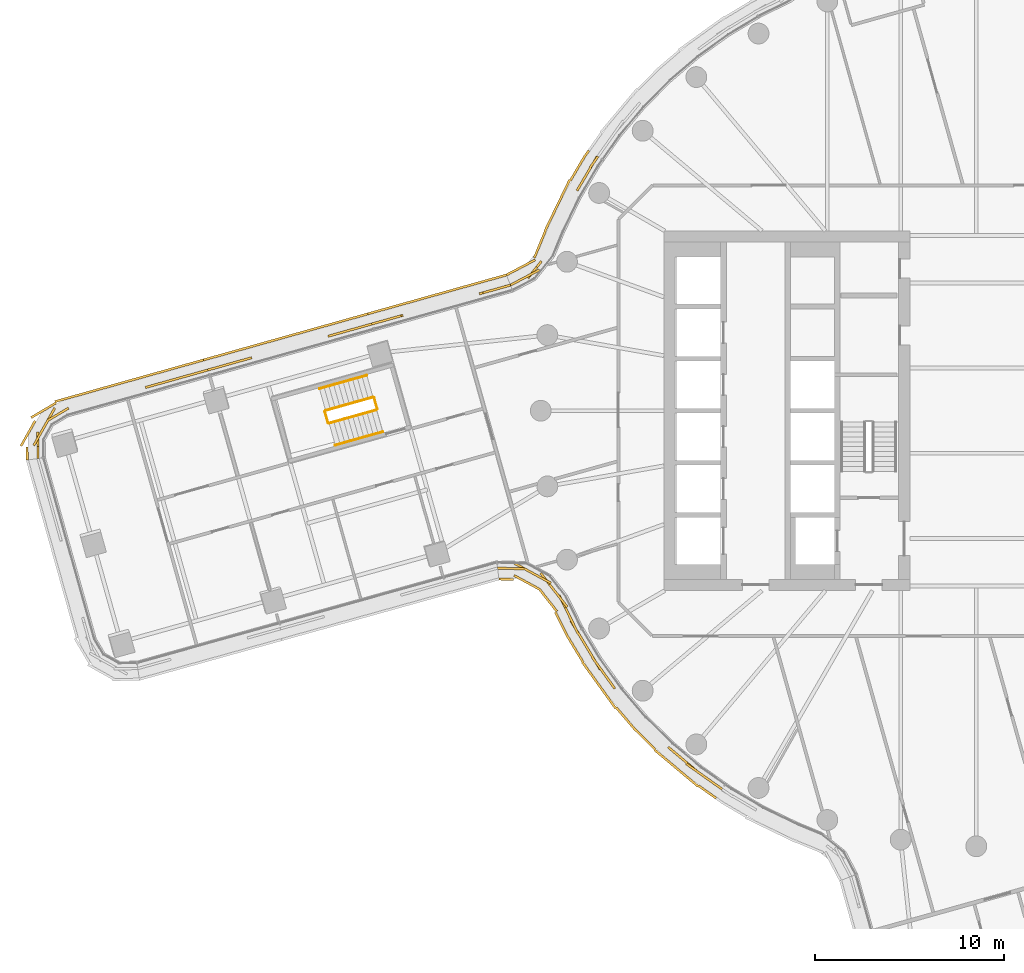
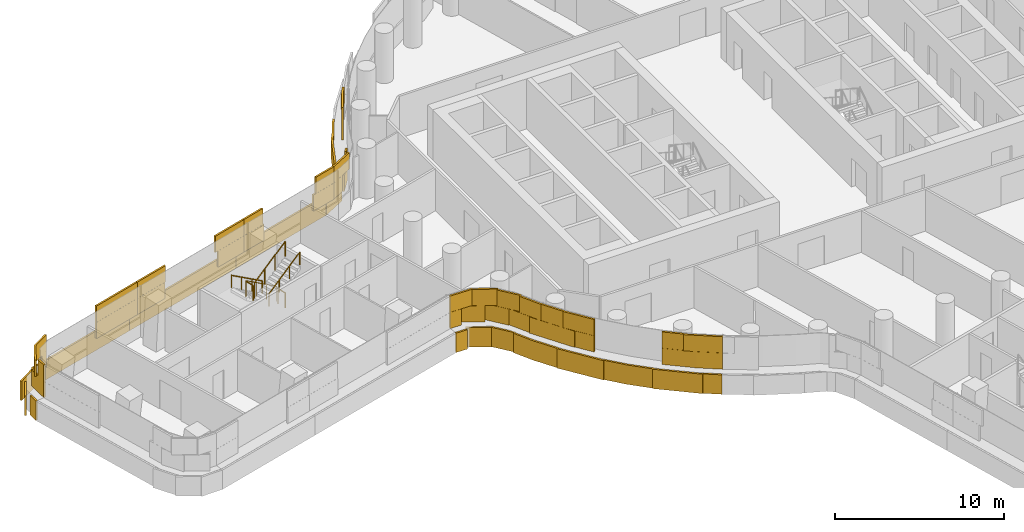
# One storey, part 26 of 30: 6 railings, 5 coverings.
"""IFC4 building model written with IfcOpenShell, lengths in metres."""

from ifc_helpers import new_model, si_unit, direction, frame, origin, origin_2d, place, context, subcontext, project, spatial, rectangle, circle, extrude, material, layer, layer_set, type_object, element, save


model = new_model("IFC4")

# Units and contexts
model_context = context("Model", 3, precision=1e-05, world=origin(), true_north=direction((0.0, 1.0)))
body_context = subcontext(model_context, "Body", "Model", "MODEL_VIEW")
ifc_project = project(units=[si_unit("LENGTHUNIT", "METRE"), si_unit("AREAUNIT", "SQUARE_METRE"), si_unit("VOLUMEUNIT", "CUBIC_METRE"), si_unit("PLANEANGLEUNIT", "RADIAN"), si_unit("MASSUNIT", "GRAM", prefix="KILO")], contexts=[model_context])

# Site, building, storey
site_placement = place(None, origin())
site = spatial("IfcSite", under=ifc_project, at=site_placement, CompositionType="ELEMENT")
building_placement = place(site_placement, origin())
building = spatial("IfcBuilding", under=site, at=building_placement, Name="Tamarind Cross Interchange Tower", CompositionType="ELEMENT")
storey_placement = place(building_placement, frame((0.0, 0.0, 91.0)))
storey = spatial("IfcBuildingStorey", under=building, at=storey_placement, Name="L21", CompositionType="ELEMENT", Elevation=91.0)

# Railings
ifc_material_1 = material(Name="Stair guard")
railing_type_1 = type_object("IfcRailingType", Name="Stair guard", PredefinedType="GUARDRAIL", material=ifc_material_1)
railing_1_placement = place(storey_placement, frame((-31.859130859375, 0.713134765625, 0.17041015625)))
element("IfcRailing", 1, at=railing_1_placement, inside=storey, type_object=railing_type_1, Name="L21 ST5 stair guard 1", PredefinedType="GUARDRAIL", context=body_context, shape_type="SweptSolid", body=[
    extrude(circle(Radius=0.02392578125, at=origin_2d()), frame((0.0, 0.0, 1.076171875), z_axis=(-0.805222310926, -0.22584546189, 0.54827990783), x_axis=(0.270054815174, -0.962844949512, 0.0)), (0.0, 0.0, 1.0), 3.10888671875),
    extrude(circle(Radius=0.02099609375, at=origin_2d()), origin(), (0.0, 0.0, 1.0), 1.052001953125),
    extrude(circle(Radius=0.02099609375, at=origin_2d()), frame((-0.83447265625, -0.234130859375, 0.568115234375)), (0.0, 0.0, 1.0), 1.052001953125),
    extrude(circle(Radius=0.02099609375, at=origin_2d()), frame((-1.6689453125, -0.468017578125, 1.136474609375)), (0.0, 0.0, 1.0), 1.052001953125),
    extrude(circle(Radius=0.02099609375, at=origin_2d()), frame((-2.50341796875, -0.7021484375, 1.70458984375)), (0.0, 0.0, 1.0), 1.052001953125),
])
railing_2_placement = place(storey_placement, frame((-34.397216796875, -0.05078125, 1.875)))
element("IfcRailing", 2, at=railing_2_placement, inside=storey, type_object=railing_type_1, Name="L21 ST5 stair guard 2", PredefinedType="GUARDRAIL", context=body_context, shape_type="SweptSolid", body=[
    extrude(circle(Radius=0.02392578125, at=origin_2d()), frame((0.0, 0.0, 1.076171875), z_axis=(0.270203447807, -0.962803249264, 0.0), x_axis=(0.962803249264, 0.270203447807, 0.0)), (0.0, 0.0, 1.0), 0.599853515625),
    extrude(circle(Radius=0.02099609375, at=origin_2d()), origin(), (0.0, 0.0, 1.0), 1.052001953125),
    extrude(circle(Radius=0.02099609375, at=origin_2d()), frame((0.162109375, -0.57763671875, 0.0)), (0.0, 0.0, 1.0), 1.052001953125),
])
railing_3_placement = place(storey_placement, frame((-34.17333984375, -0.6630859375, 2.04541015625)))
element("IfcRailing", 3, at=railing_3_placement, inside=storey, type_object=railing_type_1, Name="L21 ST5 stair guard 3", PredefinedType="GUARDRAIL", context=body_context, shape_type="SweptSolid", body=[
    extrude(circle(Radius=0.02392578125, at=origin_2d()), frame((0.0, 0.0, 1.076171875), z_axis=(0.805180412531, 0.225934267712, 0.548304851291), x_axis=(-0.270166287835, 0.962813677155, 0.0)), (0.0, 0.0, 1.0), 3.10888671875),
    extrude(circle(Radius=0.02099609375, at=origin_2d()), origin(), (0.0, 0.0, 1.0), 1.052001953125),
    extrude(circle(Radius=0.02099609375, at=origin_2d()), frame((0.83447265625, 0.234130859375, 0.568115234375)), (0.0, 0.0, 1.0), 1.052001953125),
    extrude(circle(Radius=0.02099609375, at=origin_2d()), frame((1.668701171875, 0.46826171875, 1.136474609375)), (0.0, 0.0, 1.0), 1.052001953125),
    extrude(circle(Radius=0.02099609375, at=origin_2d()), frame((2.503173828125, 0.702392578125, 1.70458984375)), (0.0, 0.0, 1.0), 1.052001953125),
])
railing_4_placement = place(storey_placement, frame((-31.797607421875, 0.6787109375, 0.0)))
element("IfcRailing", 4, at=railing_4_placement, inside=storey, type_object=railing_type_1, Name="L21 ST5 stair guard 4", PredefinedType="GUARDRAIL", context=body_context, shape_type="SweptSolid", body=[
    extrude(circle(Radius=0.02392578125, at=origin_2d()), frame((0.0, 0.0, 1.076171875), z_axis=(0.27009762292, -0.962832941944, 0.0), x_axis=(0.962832941944, 0.27009762292, 0.0)), (0.0, 0.0, 1.0), 0.60009765625),
    extrude(circle(Radius=0.02099609375, at=origin_2d()), origin(), (0.0, 0.0, 1.0), 1.052001953125),
    extrude(circle(Radius=0.02099609375, at=origin_2d()), frame((0.162109375, -0.577880859375, 0.0)), (0.0, 0.0, 1.0), 1.052001953125),
])
ifc_material_2 = material(Name="Stair handrail")
railing_type_2 = type_object("IfcRailingType", Name="Stair handrail", PredefinedType="HANDRAIL", material=ifc_material_2)
railing_5_placement = place(storey_placement, frame((-32.183349609375, 1.86865234375, 0.17041015625)))
element("IfcRailing", 5, at=railing_5_placement, inside=storey, type_object=railing_type_2, Name="L21 ST5 stair handrail 1", PredefinedType="HANDRAIL", context=body_context, shape_type="SweptSolid", body=[
    extrude(circle(Radius=0.02392578125, at=origin_2d()), frame((0.0, 0.0, 0.8759765625), z_axis=(-0.805208028118, -0.225919982143, 0.548270182594), x_axis=(0.270141863262, -0.962820530376, 0.0)), (0.0, 0.0, 1.0), 3.109130859375),
    extrude(circle(Radius=0.02099609375, at=origin_2d()), origin(), (0.0, 0.0, 1.0), 0.851806640625),
    extrude(circle(Radius=0.02099609375, at=origin_2d()), frame((-0.83447265625, -0.234130859375, 0.568115234375)), (0.0, 0.0, 1.0), 0.851806640625),
    extrude(circle(Radius=0.02099609375, at=origin_2d()), frame((-1.6689453125, -0.46826171875, 1.136474609375)), (0.0, 0.0, 1.0), 0.851806640625),
    extrude(circle(Radius=0.02099609375, at=origin_2d()), frame((-2.50341796875, -0.702392578125, 1.70458984375)), (0.0, 0.0, 1.0), 0.851806640625),
])
railing_6_placement = place(storey_placement, frame((-33.849365234375, -1.818359375, 2.04541015625)))
element("IfcRailing", 6, at=railing_6_placement, inside=storey, type_object=railing_type_2, Name="L21 ST5 stair handrail 2", PredefinedType="HANDRAIL", context=body_context, shape_type="SweptSolid", body=[
    extrude(circle(Radius=0.02392578125, at=origin_2d()), frame((0.0, 0.0, 0.8759765625), z_axis=(0.805222310926, 0.22584546189, 0.54827990783), x_axis=(-0.270054815174, 0.962844949512, 0.0)), (0.0, 0.0, 1.0), 3.10888671875),
    extrude(circle(Radius=0.02099609375, at=origin_2d()), origin(), (0.0, 0.0, 1.0), 0.851806640625),
    extrude(circle(Radius=0.02099609375, at=origin_2d()), frame((0.83447265625, 0.234130859375, 0.568115234375)), (0.0, 0.0, 1.0), 0.851806640625),
    extrude(circle(Radius=0.02099609375, at=origin_2d()), frame((1.6689453125, 0.468017578125, 1.136474609375)), (0.0, 0.0, 1.0), 0.851806640625),
    extrude(circle(Radius=0.02099609375, at=origin_2d()), frame((2.50341796875, 0.7021484375, 1.70458984375)), (0.0, 0.0, 1.0), 0.851806640625),
])

# Coverings
ifc_material_3 = material(Name="Terracotta", Category="masonry")
ifc_layer = layer(ifc_material_3, 0.1201171875)
ifc_layer_set = layer_set([ifc_layer], Name="Terracotta")
covering_type = type_object("IfcCoveringType", Name="Terracotta baguette screen unit", PredefinedType="MOLDING", material=ifc_layer_set)
covering_1_placement = place(storey_placement, origin())
element("IfcCovering", 7, at=covering_1_placement, inside=storey, type_object=covering_type, Name="SCR-L21-10-01", PredefinedType="MOLDING", context=body_context, shape_type="SweptSolid", body=[
    extrude(rectangle(XDim=1.451416015625, YDim=0.1201171875, at=origin_2d()), frame((-20.3779296875, 12.820068359375, 1.404052734375), z_axis=(0.0, 0.0, 1.0), x_axis=(-0.508183308752, -0.861248933065, 0.0)), (0.0, 0.0, 1.0), 1.1669921875),
    extrude(rectangle(XDim=0.674560546875, YDim=0.1201171875, at=origin_2d()), frame((-20.9130859375, 11.9130859375, 1.404052734375), z_axis=(0.0, 0.0, 1.0), x_axis=(-0.508183308752, -0.861248933065, 0.0)), (0.0, 0.0, 1.0), 1.1669921875),
    extrude(rectangle(XDim=1.145263671875, YDim=0.1201171875, at=origin_2d()), frame((-23.3193359375, 7.447998046875, 1.404052734375), z_axis=(0.0, 0.0, 1.0), x_axis=(-0.624019568283, -0.781408714054, 0.0)), (0.0, 0.0, 1.0), 1.1669921875),
    extrude(rectangle(XDim=0.980712890625, YDim=0.1201171875, at=origin_2d()), frame((-24.17041015625, 6.860107421875, 1.404052734375), z_axis=(0.0, 0.0, 1.0), x_axis=(-0.885278038142, -0.465062141206, 0.0)), (0.0, 0.0, 1.0), 1.1669921875),
    extrude(rectangle(XDim=0.701416015625, YDim=0.1201171875, at=origin_2d()), frame((-20.182861328125, 13.14013671875, 2.5791015625), z_axis=(0.0, 0.0, 1.0), x_axis=(-0.577568978284, -0.816341886298, 0.0)), (0.0, 0.0, 1.0), 1.1669921875),
    extrude(rectangle(XDim=1.424560546875, YDim=0.1201171875, at=origin_2d()), frame((-20.722412109375, 12.236083984375, 2.5791015625), z_axis=(0.0, 0.0, 1.0), x_axis=(-0.508183308752, -0.861248933065, 0.0)), (0.0, 0.0, 1.0), 1.1669921875),
    extrude(rectangle(XDim=0.395263671875, YDim=0.1201171875, at=origin_2d()), frame((-23.085205078125, 7.740966796875, 2.5791015625), z_axis=(0.0, 0.0, 1.0), x_axis=(-0.624019568283, -0.781408714054, 0.0)), (0.0, 0.0, 1.0), 1.1669921875),
    extrude(rectangle(XDim=1.52001953125, YDim=0.1201171875, at=origin_2d()), frame((-23.74072265625, 7.085693359375, 2.5791015625), z_axis=(0.0, 0.0, 1.0), x_axis=(-0.885278038142, -0.465062141206, 0.0)), (0.0, 0.0, 1.0), 1.1669921875),
    extrude(rectangle(XDim=0.230712890625, YDim=0.1201171875, at=origin_2d()), frame((-24.50244140625, 6.685546875, 2.5791015625), z_axis=(0.0, 0.0, 1.0), x_axis=(-0.885278038142, -0.465062141206, 0.0)), (0.0, 0.0, 1.0), 1.1669921875),
    extrude(rectangle(XDim=0.369873046875, YDim=0.1201171875, at=origin_2d()), frame((-20.566650390625, 13.59130859375, 0.00390625), z_axis=(0.0, 0.0, 1.0), x_axis=(-0.577568978284, -0.816341886298, 0.0)), (0.0, 0.0, 1.0), 1.39208984375),
    extrude(rectangle(XDim=1.52001953125, YDim=0.1201171875, at=origin_2d()), frame((-21.05322265625, 12.805419921875, 0.00390625), z_axis=(0.0, 0.0, 1.0), x_axis=(-0.508183308752, -0.861248933065, 0.0)), (0.0, 0.0, 1.0), 1.39208984375),
    extrude(rectangle(XDim=1.52001953125, YDim=0.1201171875, at=origin_2d()), frame((-21.804443359375, 11.507568359375, 0.00390625), z_axis=(0.0, 0.0, 1.0), x_axis=(-0.435326231914, -0.900272776334, 0.0)), (0.0, 0.0, 1.0), 1.39208984375),
    extrude(rectangle(XDim=1.52001953125, YDim=0.1201171875, at=origin_2d()), frame((-22.457275390625, 10.1572265625, 0.00390625), z_axis=(0.0, 0.0, 1.0), x_axis=(-0.435326231914, -0.900272776334, 0.0)), (0.0, 0.0, 1.0), 1.39208984375),
    extrude(rectangle(XDim=1.52001953125, YDim=0.1201171875, at=origin_2d()), frame((-23.050048828125, 8.77978515625, 0.00390625), z_axis=(0.0, 0.0, 1.0), x_axis=(-0.381574919747, -0.924337914737, 0.0)), (0.0, 0.0, 1.0), 1.39208984375),
    extrude(rectangle(XDim=1.52001953125, YDim=0.1201171875, at=origin_2d()), frame((-23.97021484375, 7.613525390625, 0.00390625), z_axis=(0.0, 0.0, 1.0), x_axis=(-0.885278038142, -0.465062141206, 0.0)), (0.0, 0.0, 1.0), 1.39208984375),
    extrude(rectangle(XDim=0.21240234375, YDim=0.1201171875, at=origin_2d()), frame((-24.71923828125, 7.219970703125, 0.00390625), z_axis=(0.0, 0.0, 1.0), x_axis=(-0.885278038142, -0.465062141206, 0.0)), (0.0, 0.0, 1.0), 1.39208984375),
])
covering_2_placement = place(storey_placement, origin())
element("IfcCovering", 8, at=covering_2_placement, inside=storey, type_object=covering_type, Name="SCR-L21-11-00", PredefinedType="MOLDING", context=body_context, shape_type="SweptSolid", body=[
    extrude(rectangle(XDim=0.760009765625, YDim=0.1201171875, at=origin_2d()), frame((-24.961181640625, 6.532958984375, 1.404052734375), z_axis=(0.0, 0.0, 1.0), x_axis=(-0.962823871791, -0.270129953744, 0.0)), (0.0, 0.0, 1.0), 1.1669921875),
    extrude(rectangle(XDim=0.95947265625, YDim=0.1201171875, at=origin_2d()), frame((-25.779296875, 6.303466796875, 1.404052734375), z_axis=(0.0, 0.0, 1.0), x_axis=(-0.962823871791, -0.270129953744, 0.0)), (0.0, 0.0, 1.0), 1.1669921875),
    extrude(rectangle(XDim=0.860595703125, YDim=0.1201171875, at=origin_2d()), frame((-30.689697265625, 4.92578125, 1.404052734375), z_axis=(0.0, 0.0, 1.0), x_axis=(-0.962823871791, -0.270129953744, 0.0)), (0.0, 0.0, 1.0), 1.1669921875),
    extrude(rectangle(XDim=0.85888671875, YDim=0.1201171875, at=origin_2d()), frame((-31.5078125, 4.6962890625, 1.404052734375), z_axis=(0.0, 0.0, 1.0), x_axis=(-0.962823871791, -0.270129953744, 0.0)), (0.0, 0.0, 1.0), 1.1669921875),
    extrude(rectangle(XDim=1.510009765625, YDim=0.1201171875, at=origin_2d()), frame((-25.322021484375, 6.431640625, 2.5791015625), z_axis=(0.0, 0.0, 1.0), x_axis=(-0.962823871791, -0.270129953744, 0.0)), (0.0, 0.0, 1.0), 1.1669921875),
    extrude(rectangle(XDim=1.52001953125, YDim=0.1201171875, at=origin_2d()), frame((-31.09912109375, 4.81103515625, 2.5791015625), z_axis=(0.0, 0.0, 1.0), x_axis=(-0.962823871791, -0.270129953744, 0.0)), (0.0, 0.0, 1.0), 1.1669921875),
    extrude(rectangle(XDim=0.10888671875, YDim=0.1201171875, at=origin_2d()), frame((-31.868896484375, 4.594970703125, 2.5791015625), z_axis=(0.0, 0.0, 1.0), x_axis=(-0.962823871791, -0.270129953744, 0.0)), (0.0, 0.0, 1.0), 1.1669921875),
    extrude(rectangle(XDim=0.760009765625, YDim=0.1201171875, at=origin_2d()), frame((-25.17919921875, 7.06787109375, 0.00390625), z_axis=(0.0, 0.0, 1.0), x_axis=(-0.962823871791, -0.270129953744, 0.0)), (0.0, 0.0, 1.0), 1.39208984375),
    extrude(rectangle(XDim=1.52001953125, YDim=0.1201171875, at=origin_2d()), frame((-26.257568359375, 6.765380859375, 0.00390625), z_axis=(0.0, 0.0, 1.0), x_axis=(-0.962823871791, -0.270129953744, 0.0)), (0.0, 0.0, 1.0), 1.39208984375),
    extrude(rectangle(XDim=1.52001953125, YDim=0.1201171875, at=origin_2d()), frame((-27.701904296875, 6.360107421875, 0.00390625), z_axis=(0.0, 0.0, 1.0), x_axis=(-0.962823871791, -0.270129953744, 0.0)), (0.0, 0.0, 1.0), 1.39208984375),
    extrude(rectangle(XDim=1.52001953125, YDim=0.1201171875, at=origin_2d()), frame((-29.14599609375, 5.955078125, 0.00390625), z_axis=(0.0, 0.0, 1.0), x_axis=(-0.962823871791, -0.270129953744, 0.0)), (0.0, 0.0, 1.0), 1.39208984375),
    extrude(rectangle(XDim=1.52001953125, YDim=0.1201171875, at=origin_2d()), frame((-30.59033203125, 5.5498046875, 0.00390625), z_axis=(0.0, 0.0, 1.0), x_axis=(-0.962823871791, -0.270129953744, 0.0)), (0.0, 0.0, 1.0), 1.39208984375),
    extrude(rectangle(XDim=0.863525390625, YDim=0.1201171875, at=origin_2d()), frame((-31.718505859375, 5.2333984375, 0.00390625), z_axis=(0.0, 0.0, 1.0), x_axis=(-0.962823871791, -0.270129953744, 0.0)), (0.0, 0.0, 1.0), 1.39208984375),
])
covering_3_placement = place(storey_placement, origin())
element("IfcCovering", 9, at=covering_3_placement, inside=storey, type_object=covering_type, Name="SCR-L21-11-01", PredefinedType="MOLDING", context=body_context, shape_type="SweptSolid", body=[
    extrude(rectangle(XDim=0.6611328125, YDim=0.1201171875, at=origin_2d()), frame((-32.22998046875, 4.49365234375, 1.404052734375), z_axis=(0.0, 0.0, 1.0), x_axis=(-0.962823871791, -0.270129953744, 0.0)), (0.0, 0.0, 1.0), 1.1669921875),
    extrude(rectangle(XDim=1.52001953125, YDim=0.1201171875, at=origin_2d()), frame((-33.265380859375, 4.203125, 1.404052734375), z_axis=(0.0, 0.0, 1.0), x_axis=(-0.962823871791, -0.270129953744, 0.0)), (0.0, 0.0, 1.0), 1.1669921875),
    extrude(rectangle(XDim=1.52001953125, YDim=0.1201171875, at=origin_2d()), frame((-39.04248046875, 2.582275390625, 1.404052734375), z_axis=(0.0, 0.0, 1.0), x_axis=(-0.962823871791, -0.270129953744, 0.0)), (0.0, 0.0, 1.0), 1.1669921875),
    extrude(rectangle(XDim=0.85986328125, YDim=0.1201171875, at=origin_2d()), frame((-40.173583984375, 2.264892578125, 1.404052734375), z_axis=(0.0, 0.0, 1.0), x_axis=(-0.962823871791, -0.270129953744, 0.0)), (0.0, 0.0, 1.0), 1.1669921875),
    extrude(rectangle(XDim=1.4111328125, YDim=0.1201171875, at=origin_2d()), frame((-32.591064453125, 4.392333984375, 2.5791015625), z_axis=(0.0, 0.0, 1.0), x_axis=(-0.962823871791, -0.270129953744, 0.0)), (0.0, 0.0, 1.0), 1.1669921875),
    extrude(rectangle(XDim=1.009521484375, YDim=0.1201171875, at=origin_2d()), frame((-33.74658203125, 4.068115234375, 2.5791015625), z_axis=(0.0, 0.0, 1.0), x_axis=(-0.962823871791, -0.270129953744, 0.0)), (0.0, 0.0, 1.0), 1.1669921875),
    extrude(rectangle(XDim=0.810546875, YDim=0.1201171875, at=origin_2d()), frame((-38.656982421875, 2.6904296875, 2.5791015625), z_axis=(0.0, 0.0, 1.0), x_axis=(-0.962823871791, -0.270129953744, 0.0)), (0.0, 0.0, 1.0), 1.1669921875),
    extrude(rectangle(XDim=1.52001953125, YDim=0.1201171875, at=origin_2d()), frame((-39.764404296875, 2.379638671875, 2.5791015625), z_axis=(0.0, 0.0, 1.0), x_axis=(-0.962823871791, -0.270129953744, 0.0)), (0.0, 0.0, 1.0), 1.1669921875),
    extrude(rectangle(XDim=0.10986328125, YDim=0.1201171875, at=origin_2d()), frame((-40.53466796875, 2.16357421875, 2.5791015625), z_axis=(0.0, 0.0, 1.0), x_axis=(-0.962823871791, -0.270129953744, 0.0)), (0.0, 0.0, 1.0), 1.1669921875),
    extrude(rectangle(XDim=0.656494140625, YDim=0.1201171875, at=origin_2d()), frame((-32.4501953125, 5.028076171875, 0.00390625), z_axis=(0.0, 0.0, 1.0), x_axis=(-0.962823871791, -0.270129953744, 0.0)), (0.0, 0.0, 1.0), 1.39208984375),
    extrude(rectangle(XDim=1.52001953125, YDim=0.1201171875, at=origin_2d()), frame((-33.478759765625, 4.739501953125, 0.00390625), z_axis=(0.0, 0.0, 1.0), x_axis=(-0.962823871791, -0.270129953744, 0.0)), (0.0, 0.0, 1.0), 1.39208984375),
    extrude(rectangle(XDim=1.52001953125, YDim=0.1201171875, at=origin_2d()), frame((-34.923095703125, 4.334228515625, 0.00390625), z_axis=(0.0, 0.0, 1.0), x_axis=(-0.962823871791, -0.270129953744, 0.0)), (0.0, 0.0, 1.0), 1.39208984375),
    extrude(rectangle(XDim=1.52001953125, YDim=0.1201171875, at=origin_2d()), frame((-36.3671875, 3.928955078125, 0.00390625), z_axis=(0.0, 0.0, 1.0), x_axis=(-0.962823871791, -0.270129953744, 0.0)), (0.0, 0.0, 1.0), 1.39208984375),
    extrude(rectangle(XDim=1.52001953125, YDim=0.1201171875, at=origin_2d()), frame((-37.8115234375, 3.52392578125, 0.00390625), z_axis=(0.0, 0.0, 1.0), x_axis=(-0.962823871791, -0.270129953744, 0.0)), (0.0, 0.0, 1.0), 1.39208984375),
    extrude(rectangle(XDim=1.52001953125, YDim=0.1201171875, at=origin_2d()), frame((-39.255615234375, 3.11865234375, 0.00390625), z_axis=(0.0, 0.0, 1.0), x_axis=(-0.962823871791, -0.270129953744, 0.0)), (0.0, 0.0, 1.0), 1.39208984375),
    extrude(rectangle(XDim=0.8701171875, YDim=0.1201171875, at=origin_2d()), frame((-40.38720703125, 2.80126953125, 0.00390625), z_axis=(0.0, 0.0, 1.0), x_axis=(-0.962823871791, -0.270129953744, 0.0)), (0.0, 0.0, 1.0), 1.39208984375),
])
covering_4_placement = place(storey_placement, origin())
element("IfcCovering", 10, at=covering_4_placement, inside=storey, type_object=covering_type, Name="SCR-L21-11-02", PredefinedType="MOLDING", context=body_context, shape_type="SweptSolid", body=[
    extrude(rectangle(XDim=0.66015625, YDim=0.1201171875, at=origin_2d()), frame((-40.895751953125, 2.062255859375, 1.404052734375), z_axis=(0.0, 0.0, 1.0), x_axis=(-0.962823871791, -0.270129953744, 0.0)), (0.0, 0.0, 1.0), 1.1669921875),
    extrude(rectangle(XDim=1.52001953125, YDim=0.1201171875, at=origin_2d()), frame((-41.930908203125, 1.77197265625, 1.404052734375), z_axis=(0.0, 0.0, 1.0), x_axis=(-0.962823871791, -0.270129953744, 0.0)), (0.0, 0.0, 1.0), 1.1669921875),
    extrude(rectangle(XDim=1.280029296875, YDim=0.1201171875, at=origin_2d()), frame((-43.264404296875, 1.397705078125, 1.404052734375), z_axis=(0.0, 0.0, 1.0), x_axis=(-0.962823871791, -0.270129953744, 0.0)), (0.0, 0.0, 1.0), 1.1669921875),
    extrude(rectangle(XDim=0.5400390625, YDim=0.1201171875, at=origin_2d()), frame((-48.16748046875, 0.003173828125, 1.404052734375), z_axis=(0.0, 0.0, 1.0), x_axis=(-0.860101667249, -0.510122653874, 0.0)), (0.0, 0.0, 1.0), 1.1669921875),
    extrude(rectangle(XDim=1.52001953125, YDim=0.1201171875, at=origin_2d()), frame((-49.03515625, -0.519775390625, 1.404052734375), z_axis=(0.0, 0.0, 1.0), x_axis=(-0.489808566738, -0.871830010925, 0.0)), (0.0, 0.0, 1.0), 1.1669921875),
    extrude(rectangle(XDim=1.400146484375, YDim=0.1201171875, at=origin_2d()), frame((-49.554443359375, -1.827880859375, 1.404052734375), z_axis=(0.0, 0.0, 1.0), x_axis=(0.011728343677, -0.999931220612, 0.0)), (0.0, 0.0, 1.0), 1.1669921875),
    extrude(rectangle(XDim=1.41015625, YDim=0.1201171875, at=origin_2d()), frame((-41.2568359375, 1.9609375, 2.5791015625), z_axis=(0.0, 0.0, 1.0), x_axis=(-0.962823871791, -0.270129953744, 0.0)), (0.0, 0.0, 1.0), 1.1669921875),
    extrude(rectangle(XDim=1.52001953125, YDim=0.1201171875, at=origin_2d()), frame((-42.653076171875, 1.5693359375, 2.5791015625), z_axis=(0.0, 0.0, 1.0), x_axis=(-0.962823871791, -0.270129953744, 0.0)), (0.0, 0.0, 1.0), 1.1669921875),
    extrude(rectangle(XDim=0.530029296875, YDim=0.1201171875, at=origin_2d()), frame((-43.62548828125, 1.296630859375, 2.5791015625), z_axis=(0.0, 0.0, 1.0), x_axis=(-0.962823871791, -0.270129953744, 0.0)), (0.0, 0.0, 1.0), 1.1669921875),
    extrude(rectangle(XDim=1.2900390625, YDim=0.1201171875, at=origin_2d()), frame((-48.489990234375, -0.188232421875, 2.5791015625), z_axis=(0.0, 0.0, 1.0), x_axis=(-0.860101667249, -0.510122653874, 0.0)), (0.0, 0.0, 1.0), 1.1669921875),
    extrude(rectangle(XDim=1.52001953125, YDim=0.1201171875, at=origin_2d()), frame((-49.402587890625, -1.173583984375, 2.5791015625), z_axis=(0.0, 0.0, 1.0), x_axis=(-0.489808566738, -0.871830010925, 0.0)), (0.0, 0.0, 1.0), 1.1669921875),
    extrude(rectangle(XDim=0.650146484375, YDim=0.1201171875, at=origin_2d()), frame((-49.550048828125, -2.202880859375, 2.5791015625), z_axis=(0.0, 0.0, 1.0), x_axis=(0.011728343677, -0.999931220612, 0.0)), (0.0, 0.0, 1.0), 1.1669921875),
    extrude(rectangle(XDim=0.64990234375, YDim=0.1201171875, at=origin_2d()), frame((-41.118896484375, 2.595947265625, 0.00390625), z_axis=(0.0, 0.0, 1.0), x_axis=(-0.962823871791, -0.270129953744, 0.0)), (0.0, 0.0, 1.0), 1.39208984375),
    extrude(rectangle(XDim=1.52001953125, YDim=0.1201171875, at=origin_2d()), frame((-42.144287109375, 2.308349609375, 0.00390625), z_axis=(0.0, 0.0, 1.0), x_axis=(-0.962823871791, -0.270129953744, 0.0)), (0.0, 0.0, 1.0), 1.39208984375),
    extrude(rectangle(XDim=1.52001953125, YDim=0.1201171875, at=origin_2d()), frame((-43.58837890625, 1.903076171875, 0.00390625), z_axis=(0.0, 0.0, 1.0), x_axis=(-0.962823871791, -0.270129953744, 0.0)), (0.0, 0.0, 1.0), 1.39208984375),
    extrude(rectangle(XDim=1.52001953125, YDim=0.1201171875, at=origin_2d()), frame((-45.03271484375, 1.497802734375, 0.00390625), z_axis=(0.0, 0.0, 1.0), x_axis=(-0.962823871791, -0.270129953744, 0.0)), (0.0, 0.0, 1.0), 1.39208984375),
    extrude(rectangle(XDim=1.52001953125, YDim=0.1201171875, at=origin_2d()), frame((-46.476806640625, 1.0927734375, 0.00390625), z_axis=(0.0, 0.0, 1.0), x_axis=(-0.962823871791, -0.270129953744, 0.0)), (0.0, 0.0, 1.0), 1.39208984375),
    extrude(rectangle(XDim=1.52001953125, YDim=0.1201171875, at=origin_2d()), frame((-47.921142578125, 0.6875, 0.00390625), z_axis=(0.0, 0.0, 1.0), x_axis=(-0.962823871791, -0.270129953744, 0.0)), (0.0, 0.0, 1.0), 1.39208984375),
    extrude(rectangle(XDim=1.52001953125, YDim=0.1201171875, at=origin_2d()), frame((-49.25537109375, 0.025390625, 0.00390625), z_axis=(0.0, 0.0, 1.0), x_axis=(-0.860101667249, -0.510122653874, 0.0)), (0.0, 0.0, 1.0), 1.39208984375),
    extrude(rectangle(XDim=1.52001953125, YDim=0.1201171875, at=origin_2d()), frame((-50.0751953125, -1.19921875, 0.00390625), z_axis=(0.0, 0.0, 1.0), x_axis=(-0.489808566738, -0.871830010925, 0.0)), (0.0, 0.0, 1.0), 1.39208984375),
    extrude(rectangle(XDim=0.681640625, YDim=0.1201171875, at=origin_2d()), frame((-50.123291015625, -2.264404296875, 0.00390625), z_axis=(0.0, 0.0, 1.0), x_axis=(0.011728343677, -0.999931220612, 0.0)), (0.0, 0.0, 1.0), 1.39208984375),
])
covering_5_placement = place(storey_placement, origin())
element("IfcCovering", 11, at=covering_5_placement, inside=storey, type_object=covering_type, Name="SCR-L21-14-00", PredefinedType="MOLDING", context=body_context, shape_type="SweptSolid", body=[
    extrude(rectangle(XDim=0.760009765625, YDim=0.1201171875, at=origin_2d()), frame((-24.90576171875, -8.322509765625, 1.404052734375), z_axis=(0.0, 0.0, 1.0), x_axis=(0.999588199319, -0.028695501065, 0.0)), (0.0, 0.0, 1.0), 1.1669921875),
    extrude(rectangle(XDim=1.52001953125, YDim=0.1201171875, at=origin_2d()), frame((-23.788818359375, -8.3828125, 1.404052734375), z_axis=(0.0, 0.0, 1.0), x_axis=(0.878550783095, -0.477648952184, 0.0)), (0.0, 0.0, 1.0), 1.1669921875),
    extrude(rectangle(XDim=1.52001953125, YDim=0.1201171875, at=origin_2d()), frame((-22.53515625, -9.175048828125, 1.404052734375), z_axis=(0.0, 0.0, 1.0), x_axis=(0.617175455423, -0.786825557048, 0.0)), (0.0, 0.0, 1.0), 1.1669921875),
    extrude(rectangle(XDim=1.52001953125, YDim=0.1201171875, at=origin_2d()), frame((-21.698974609375, -10.411865234375, 1.404052734375), z_axis=(0.0, 0.0, 1.0), x_axis=(0.443459913186, -0.896294206941, 0.0)), (0.0, 0.0, 1.0), 1.1669921875),
    extrude(rectangle(XDim=1.52001953125, YDim=0.1201171875, at=origin_2d()), frame((-21.017578125, -11.747314453125, 1.404052734375), z_axis=(0.0, 0.0, 1.0), x_axis=(0.515577308909, -0.856843065292, 0.0)), (0.0, 0.0, 1.0), 1.1669921875),
    extrude(rectangle(XDim=1.52001953125, YDim=0.1201171875, at=origin_2d()), frame((-20.244140625, -13.03271484375, 1.404052734375), z_axis=(0.0, 0.0, 1.0), x_axis=(0.515577308909, -0.856843065292, 0.0)), (0.0, 0.0, 1.0), 1.1669921875),
    extrude(rectangle(XDim=1.26220703125, YDim=0.1201171875, at=origin_2d()), frame((-19.4580078125, -14.1611328125, 1.404052734375), z_axis=(0.0, 0.0, 1.0), x_axis=(0.584573890505, -0.811340475102, 0.0)), (0.0, 0.0, 1.0), 1.1669921875),
    extrude(rectangle(XDim=0.5576171875, YDim=0.1201171875, at=origin_2d()), frame((-16.05419921875, -17.94384765625, 1.404052734375), z_axis=(0.0, 0.0, 1.0), x_axis=(0.765858396687, -0.643009266048, 0.0)), (0.0, 0.0, 1.0), 1.1669921875),
    extrude(rectangle(XDim=1.52001953125, YDim=0.1201171875, at=origin_2d()), frame((-15.27001953125, -18.60205078125, 1.404052734375), z_axis=(0.0, 0.0, 1.0), x_axis=(0.765858396687, -0.643009266048, 0.0)), (0.0, 0.0, 1.0), 1.1669921875),
    extrude(rectangle(XDim=1.52001953125, YDim=0.1201171875, at=origin_2d()), frame((-14.08251953125, -19.51611328125, 1.404052734375), z_axis=(0.0, 0.0, 1.0), x_axis=(0.816341886298, -0.577568978284, 0.0)), (0.0, 0.0, 1.0), 1.1669921875),
    extrude(rectangle(XDim=0.068603515625, YDim=0.1201171875, at=origin_2d()), frame((-13.4462890625, -19.96630859375, 1.404052734375), z_axis=(0.0, 0.0, 1.0), x_axis=(0.816341886298, -0.577568978284, 0.0)), (0.0, 0.0, 1.0), 1.1669921875),
    extrude(rectangle(XDim=1.510009765625, YDim=0.1201171875, at=origin_2d()), frame((-24.531005859375, -8.333251953125, 2.5791015625), z_axis=(0.0, 0.0, 1.0), x_axis=(0.999588199319, -0.028695501065, 0.0)), (0.0, 0.0, 1.0), 1.1669921875),
    extrude(rectangle(XDim=1.52001953125, YDim=0.1201171875, at=origin_2d()), frame((-23.1298828125, -8.740966796875, 2.5791015625), z_axis=(0.0, 0.0, 1.0), x_axis=(0.878550783095, -0.477648952184, 0.0)), (0.0, 0.0, 1.0), 1.1669921875),
    extrude(rectangle(XDim=1.52001953125, YDim=0.1201171875, at=origin_2d()), frame((-22.072265625, -9.76513671875, 2.5791015625), z_axis=(0.0, 0.0, 1.0), x_axis=(0.617175455423, -0.786825557048, 0.0)), (0.0, 0.0, 1.0), 1.1669921875),
    extrude(rectangle(XDim=1.52001953125, YDim=0.1201171875, at=origin_2d()), frame((-21.366455078125, -11.083984375, 2.5791015625), z_axis=(0.0, 0.0, 1.0), x_axis=(0.443459913186, -0.896294206941, 0.0)), (0.0, 0.0, 1.0), 1.1669921875),
    extrude(rectangle(XDim=1.52001953125, YDim=0.1201171875, at=origin_2d()), frame((-20.630859375, -12.389892578125, 2.5791015625), z_axis=(0.0, 0.0, 1.0), x_axis=(0.515577308909, -0.856843065292, 0.0)), (0.0, 0.0, 1.0), 1.1669921875),
    extrude(rectangle(XDim=1.52001953125, YDim=0.1201171875, at=origin_2d()), frame((-19.82421875, -13.6533203125, 2.5791015625), z_axis=(0.0, 0.0, 1.0), x_axis=(0.584573890505, -0.811340475102, 0.0)), (0.0, 0.0, 1.0), 1.1669921875),
    extrude(rectangle(XDim=0.51220703125, YDim=0.1201171875, at=origin_2d()), frame((-19.239013671875, -14.465576171875, 2.5791015625), z_axis=(0.0, 0.0, 1.0), x_axis=(0.584573890505, -0.811340475102, 0.0)), (0.0, 0.0, 1.0), 1.1669921875),
    extrude(rectangle(XDim=1.3076171875, YDim=0.1201171875, at=origin_2d()), frame((-15.76708984375, -18.18505859375, 2.5791015625), z_axis=(0.0, 0.0, 1.0), x_axis=(0.765858396687, -0.643009266048, 0.0)), (0.0, 0.0, 1.0), 1.1669921875),
    extrude(rectangle(XDim=1.52001953125, YDim=0.1201171875, at=origin_2d()), frame((-14.694580078125, -19.0830078125, 2.5791015625), z_axis=(0.0, 0.0, 1.0), x_axis=(0.816341886298, -0.577568978284, 0.0)), (0.0, 0.0, 1.0), 1.1669921875),
    extrude(rectangle(XDim=0.818603515625, YDim=0.1201171875, at=origin_2d()), frame((-13.75244140625, -19.749755859375, 2.5791015625), z_axis=(0.0, 0.0, 1.0), x_axis=(0.816341886298, -0.577568978284, 0.0)), (0.0, 0.0, 1.0), 1.1669921875),
    extrude(rectangle(XDim=0.760009765625, YDim=0.1201171875, at=origin_2d()), frame((-24.830322265625, -8.89892578125, 0.00390625), z_axis=(0.0, 0.0, 1.0), x_axis=(0.999588199319, -0.028695501065, 0.0)), (0.0, 0.0, 1.0), 1.39208984375),
    extrude(rectangle(XDim=1.52001953125, YDim=0.1201171875, at=origin_2d()), frame((-23.74560546875, -9.0595703125, 0.00390625), z_axis=(0.0, 0.0, 1.0), x_axis=(0.878550783095, -0.477648952184, 0.0)), (0.0, 0.0, 1.0), 1.39208984375),
    extrude(rectangle(XDim=1.52001953125, YDim=0.1201171875, at=origin_2d()), frame((-22.6171875, -10.00048828125, 0.00390625), z_axis=(0.0, 0.0, 1.0), x_axis=(0.617175455423, -0.786825557048, 0.0)), (0.0, 0.0, 1.0), 1.39208984375),
    extrude(rectangle(XDim=1.52001953125, YDim=0.1201171875, at=origin_2d()), frame((-21.8955078125, -11.30908203125, 0.00390625), z_axis=(0.0, 0.0, 1.0), x_axis=(0.443459913186, -0.896294206941, 0.0)), (0.0, 0.0, 1.0), 1.39208984375),
    extrude(rectangle(XDim=1.52001953125, YDim=0.1201171875, at=origin_2d()), frame((-21.1640625, -12.617431640625, 0.00390625), z_axis=(0.0, 0.0, 1.0), x_axis=(0.515577308909, -0.856843065292, 0.0)), (0.0, 0.0, 1.0), 1.39208984375),
    extrude(rectangle(XDim=1.52001953125, YDim=0.1201171875, at=origin_2d()), frame((-20.364501953125, -13.88525390625, 0.00390625), z_axis=(0.0, 0.0, 1.0), x_axis=(0.584573890505, -0.811340475102, 0.0)), (0.0, 0.0, 1.0), 1.39208984375),
    extrude(rectangle(XDim=1.52001953125, YDim=0.1201171875, at=origin_2d()), frame((-19.487548828125, -15.102294921875, 0.00390625), z_axis=(0.0, 0.0, 1.0), x_axis=(0.584573890505, -0.811340475102, 0.0)), (0.0, 0.0, 1.0), 1.39208984375),
    extrude(rectangle(XDim=1.52001953125, YDim=0.1201171875, at=origin_2d()), frame((-18.5234375, -16.250732421875, 0.00390625), z_axis=(0.0, 0.0, 1.0), x_axis=(0.64957723968, -0.760295606781, 0.0)), (0.0, 0.0, 1.0), 1.39208984375),
    extrude(rectangle(XDim=1.52001953125, YDim=0.1201171875, at=origin_2d()), frame((-17.50048828125, -17.345947265625, 0.00390625), z_axis=(0.0, 0.0, 1.0), x_axis=(0.710143317658, -0.704057148523, 0.0)), (0.0, 0.0, 1.0), 1.39208984375),
    extrude(rectangle(XDim=1.52001953125, YDim=0.1201171875, at=origin_2d()), frame((-16.42041015625, -18.385986328125, 0.00390625), z_axis=(0.0, 0.0, 1.0), x_axis=(0.765858396687, -0.643009266048, 0.0)), (0.0, 0.0, 1.0), 1.39208984375),
    extrude(rectangle(XDim=1.52001953125, YDim=0.1201171875, at=origin_2d()), frame((-15.271484375, -19.350341796875, 0.00390625), z_axis=(0.0, 0.0, 1.0), x_axis=(0.765858396687, -0.643009266048, 0.0)), (0.0, 0.0, 1.0), 1.39208984375),
    extrude(rectangle(XDim=1.14990234375, YDim=0.1201171875, at=origin_2d()), frame((-14.2119140625, -20.127685546875, 0.00390625), z_axis=(0.0, 0.0, 1.0), x_axis=(0.816341886298, -0.577568978284, 0.0)), (0.0, 0.0, 1.0), 1.39208984375),
])

save(model, "model.ifc")
